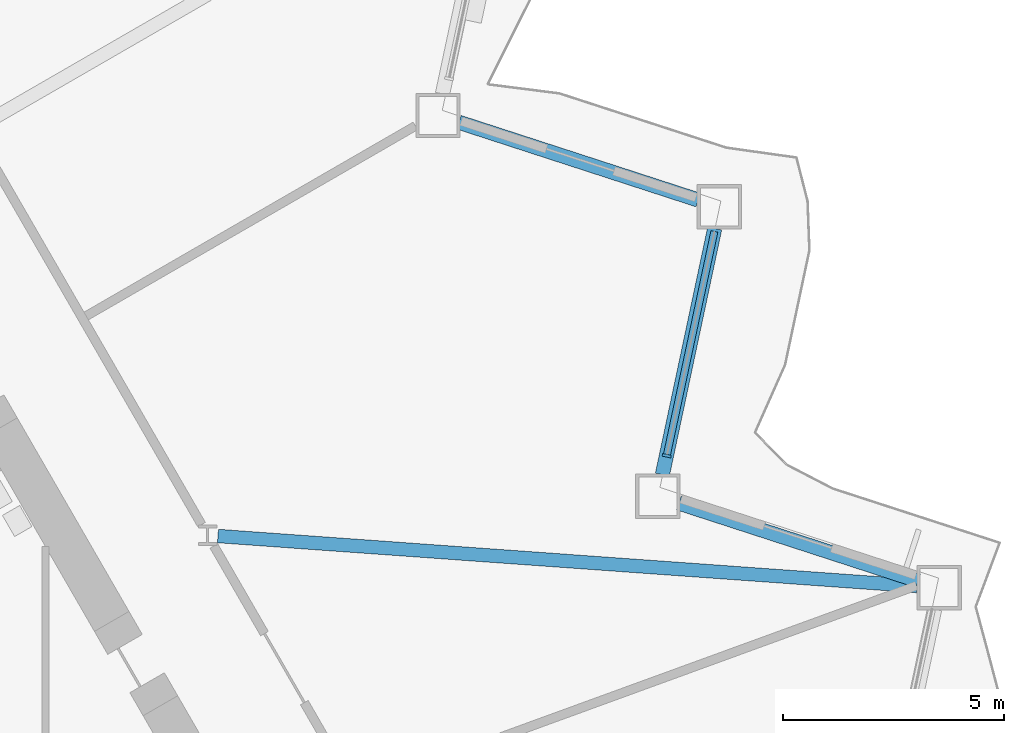
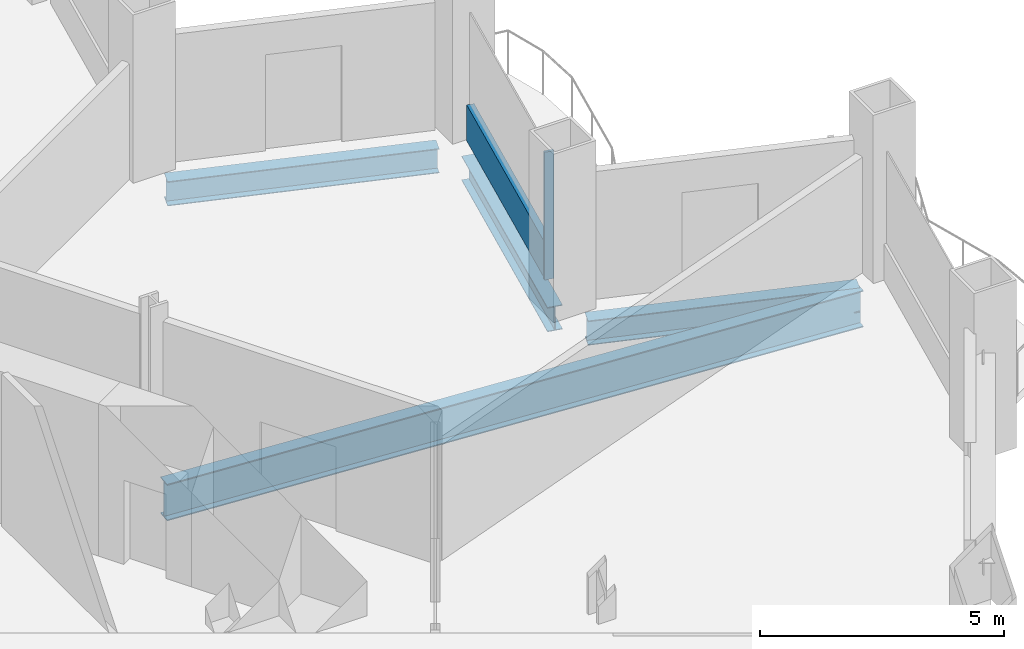
# One storey, part 5 of 21: 4 beams, 2 members, 1 element without a shape of its own.
"""IFC4 building model written with IfcOpenShell, lengths in metres."""

from ifc_helpers import new_model, si_unit, direction, frame, origin, origin_2d, place, context, subcontext, project, spatial, rectangle, i_section, extrude, material, layer, layer_set, material_profile, profile_set, type_object, element, aggregate, save


model = new_model("IFC4")

# Units and contexts
model_context = context("Model", 3, precision=1e-05, world=origin(), true_north=direction((0.0, 1.0)))
body_context = subcontext(model_context, "Body", "Model", "MODEL_VIEW")
ifc_project = project(units=[si_unit("LENGTHUNIT", "METRE"), si_unit("AREAUNIT", "SQUARE_METRE"), si_unit("VOLUMEUNIT", "CUBIC_METRE"), si_unit("PLANEANGLEUNIT", "RADIAN"), si_unit("MASSUNIT", "GRAM", prefix="KILO")], contexts=[model_context])

# Site, building, storey
site_placement = place(None, origin())
site = spatial("IfcSite", under=ifc_project, at=site_placement, CompositionType="ELEMENT")
building_placement = place(site_placement, origin())
building = spatial("IfcBuilding", under=site, at=building_placement, Name="Cormorant Prow Tower", CompositionType="ELEMENT")
storey_placement = place(building_placement, frame((0.0, 0.0, 72.0)))
storey = spatial("IfcBuildingStorey", under=building, at=storey_placement, Name="L15", CompositionType="ELEMENT", Elevation=72.0)

# Curtain wall, members
ifc_material_1 = material(Name="Aluminium 6063-T6", Category="aluminium")
ifc_layer = layer(ifc_material_1, 0.199951171875)
ifc_layer_set = layer_set([ifc_layer], Name="Aluminium 6063-T6")
curtain_wall_type = type_object("IfcCurtainWallType", Name="Office unitised curtain wall 200", PredefinedType="NOTDEFINED", material=ifc_layer_set)
curtain_wall_placement = place(storey_placement, origin())
curtain_wall = element("IfcCurtainWall", 1, at=curtain_wall_placement, inside=storey, type_object=curtain_wall_type, Name="Office curtain wall ENE02", PredefinedType="NOTDEFINED")
ifc_material_2 = material(Name="Aluminium 6063-T6", Category="aluminium")
ifc_material_profile_1 = material_profile(ifc_material_2, rectangle(XDim=0.199951171875, YDim=0.06005859375, at=origin_2d()), Name="Office mullion 60x200")
ifc_profile_set_1 = profile_set([ifc_material_profile_1], Name="Aluminium 6063-T6")
member_type_1 = type_object("IfcMemberType", Name="Office mullion 60x200", PredefinedType="MULLION", material=ifc_profile_set_1)
member_1_placement = place(storey_placement, frame((26.2353515625, -1.257080078125, 0.0), z_axis=(0.0, 0.0, 1.0), x_axis=(-0.978147586919, 0.20791175581, 0.0)))
member_1 = element("IfcMember", 2, at=member_1_placement, type_object=member_type_1, Name="Office mullion ENE02", PredefinedType="MULLION", context=body_context, shape_type="SweptSolid", body=[
    extrude(rectangle(XDim=0.199951171875, YDim=0.06005859375, at=origin_2d()), origin(), (0.0, 0.0, 1.0), 3.18896484375),
])
ifc_material_3 = material(Name="Terracotta", Category="masonry")
ifc_material_profile_2 = material_profile(ifc_material_3, rectangle(XDim=0.159912109375, YDim=0.89990234375, at=origin_2d()), Name="Office terracotta spandrel rail 160x900")
ifc_profile_set_2 = profile_set([ifc_material_profile_2], Name="Terracotta")
member_type_2 = type_object("IfcMemberType", Name="Office terracotta spandrel rail 160x900", PredefinedType="USERDEFINED", material=ifc_profile_set_2)
member_2_placement = place(storey_placement, frame((26.24169921875, -1.227783203125, 0.449951171875), z_axis=(0.207897305086, 0.978150658405, 0.0), x_axis=(-0.978150658405, 0.207897305086, 0.0)))
member_2 = element("IfcMember", 3, at=member_2_placement, type_object=member_type_2, Name="Office spandrel rail ENE02", ObjectType="TRANSOM", PredefinedType="USERDEFINED", context=body_context, shape_type="SweptSolid", body=[
    extrude(rectangle(XDim=0.159912109375, YDim=0.89990234375, at=origin_2d()), origin(), (0.0, 0.0, 1.0), 5.150634765625),
])
aggregate(curtain_wall, [member_1, member_2])

# Beams
ifc_material_4 = material(Name="Structural steel ASTM A992 Gr 50", Category="steel")
ifc_material_profile_3 = material_profile(ifc_material_4, i_section(OverallWidth=0.3046875, OverallDepth=0.914794921875, WebThickness=0.0166015625, FlangeThickness=0.02587890625, at=origin_2d()), Name="W36x160")
ifc_profile_set_3 = profile_set([ifc_material_profile_3], Name="Structural steel ASTM A992 Gr 50")
beam_type_1 = type_object("IfcBeamType", Name="Radial floor beam W36x160", PredefinedType="BEAM", material=ifc_profile_set_3)
beam_1_placement = place(storey_placement, frame((16.099365234375, -3.0703125, -0.857421875), z_axis=(0.997443412532, -0.071460750045, 0.0), x_axis=(0.071460750045, 0.997443412532, 0.0)))
element("IfcBeam", 4, at=beam_1_placement, inside=storey, type_object=beam_type_1, Name="Radial floor beam FB1 10 L15", PredefinedType="BEAM", context=body_context, shape_type="SweptSolid", body=[
    extrude(i_section(OverallWidth=0.3046875, OverallDepth=0.914794921875, WebThickness=0.0166015625, FlangeThickness=0.02587890625, at=origin_2d()), origin(), (0.0, 0.0, 1.0), 15.831787109375),
])
ifc_material_5 = material(Name="Structural steel ASTM A992 Gr 50", Category="steel")
ifc_material_profile_4 = material_profile(ifc_material_5, i_section(OverallWidth=0.32373046875, OverallDepth=0.611083984375, WebThickness=0.0126953125, FlangeThickness=0.01904296875, at=origin_2d()), Name="W24x104")
ifc_profile_set_4 = profile_set([ifc_material_profile_4], Name="Structural steel ASTM A992 Gr 50")
beam_type_2 = type_object("IfcBeamType", Name="Spandrel beam W24x104", PredefinedType="SPANDREL", material=ifc_profile_set_4)
beam_2_placement = place(storey_placement, frame((31.913818359375, -4.082763671875, -0.70556640625), z_axis=(-0.951049222751, 0.309039440696, 0.0), x_axis=(-0.309039440696, -0.951049222751, 0.0)))
element("IfcBeam", 5, at=beam_2_placement, inside=storey, type_object=beam_type_2, Name="Spandrel beam SB1 ENE01-ENE02 L15", PredefinedType="SPANDREL", context=body_context, shape_type="SweptSolid", body=[
    extrude(i_section(OverallWidth=0.32373046875, OverallDepth=0.611083984375, WebThickness=0.0126953125, FlangeThickness=0.01904296875, at=origin_2d()), origin(), (0.0, 0.0, 1.0), 5.682373046875),
])
beam_3_placement = place(storey_placement, frame((26.137939453125, -1.68310546875, -0.70556640625), z_axis=(0.207900376723, 0.97815000555, 0.0), x_axis=(-0.97815000555, 0.207900376723, 0.0)))
element("IfcBeam", 6, at=beam_3_placement, inside=storey, type_object=beam_type_2, Name="Spandrel beam SB1 ENE02-ENE03 L15", PredefinedType="SPANDREL", context=body_context, shape_type="SweptSolid", body=[
    extrude(i_section(OverallWidth=0.32373046875, OverallDepth=0.611083984375, WebThickness=0.0126953125, FlangeThickness=0.01904296875, at=origin_2d()), origin(), (0.0, 0.0, 1.0), 5.6826171875),
])
beam_4_placement = place(storey_placement, frame((26.94775390625, 4.518798828125, -0.70556640625), z_axis=(-0.951061849722, 0.309000579292, 0.0), x_axis=(-0.309000579292, -0.951061849722, 0.0)))
element("IfcBeam", 7, at=beam_4_placement, inside=storey, type_object=beam_type_2, Name="Spandrel beam SB1 ENE03-ENE04 L15", PredefinedType="SPANDREL", context=body_context, shape_type="SweptSolid", body=[
    extrude(i_section(OverallWidth=0.32373046875, OverallDepth=0.611083984375, WebThickness=0.0126953125, FlangeThickness=0.01904296875, at=origin_2d()), origin(), (0.0, 0.0, 1.0), 5.682373046875),
])

save(model, "model.ifc")
